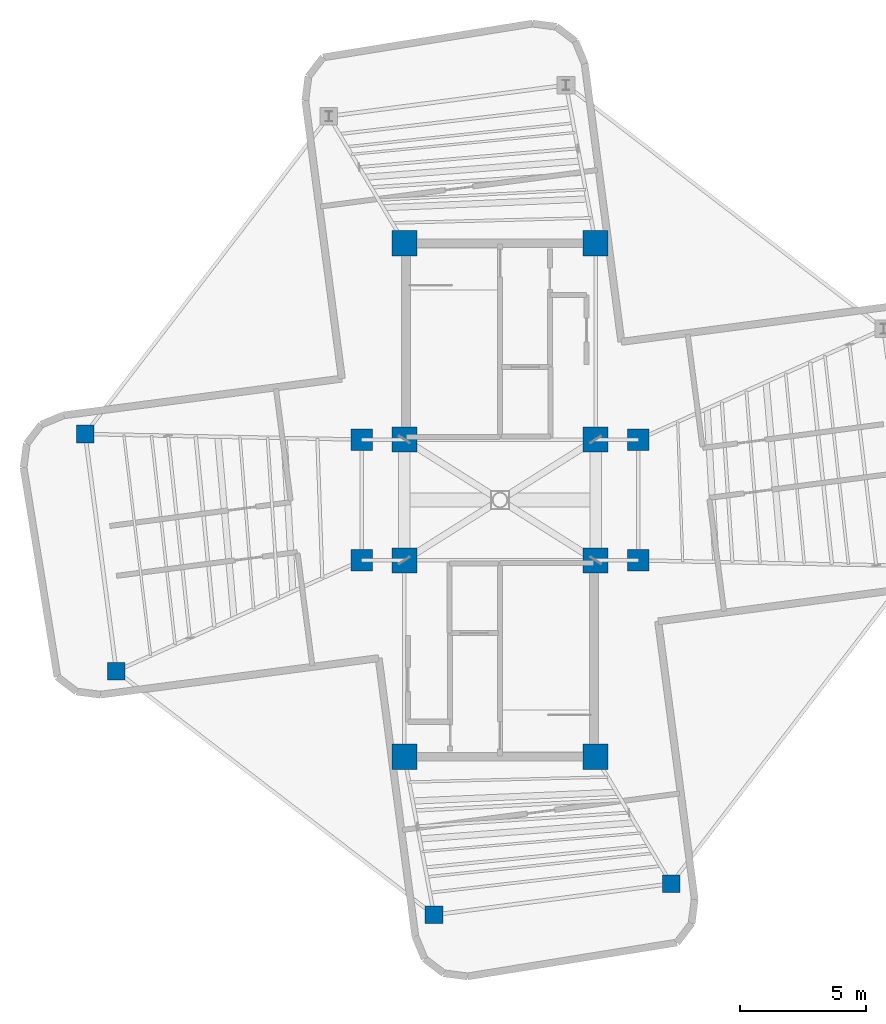
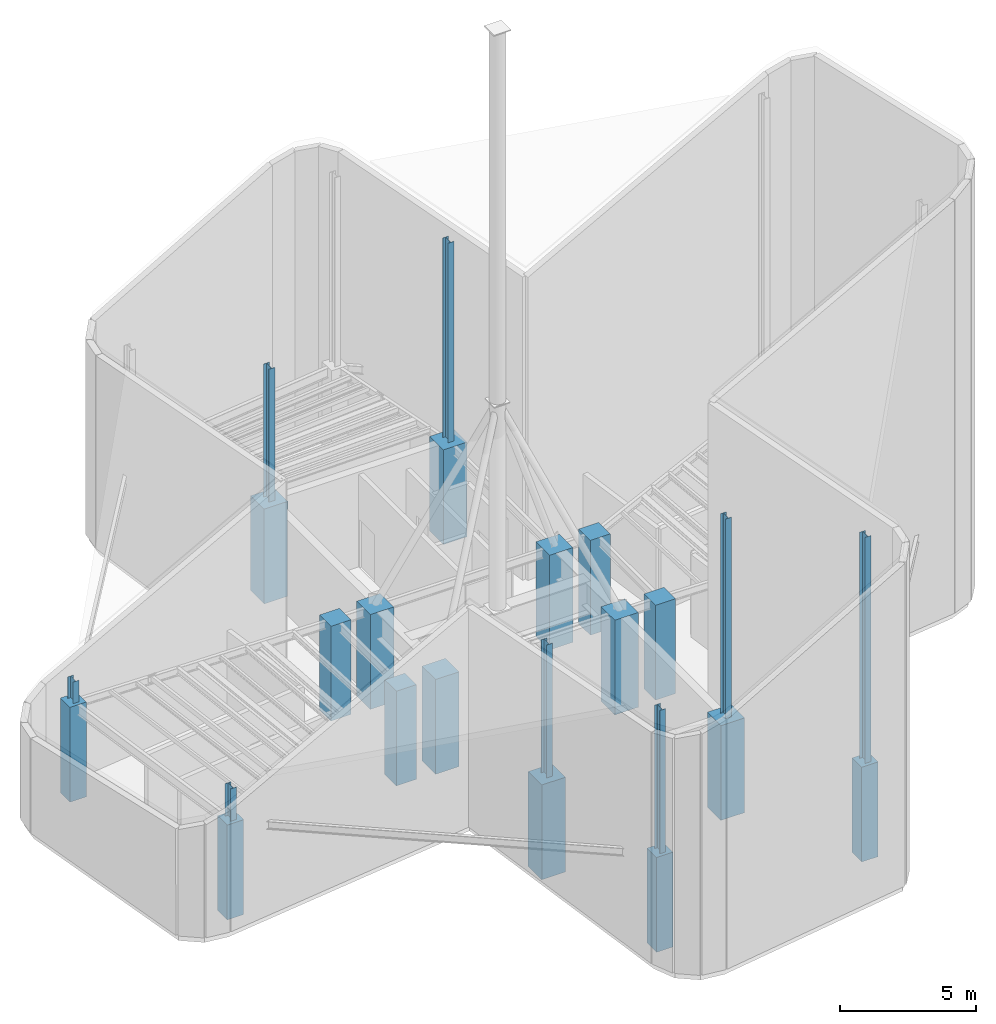
# One storey, part 1 of 8: 24 columns.
"""IFC4 building model written with IfcOpenShell, lengths in metres."""

import ifcopenshell
import ifcopenshell.guid

model = None  # the IFC model being written
_history = None  # IfcOwnerHistory: only IFC2X3 demands one
_inside = {}  # id of a spatial element -> (the spatial element, [elements in it])
_under = {}  # id of a project, library or spatial element -> (it, [spatial elements below it])
_declared = {}  # id of a project -> (the project, [libraries it declares])
_typed = {}  # id of a type object -> (the type object, [elements of that type])
_made_of = {}  # id of a material, layer set ... -> (it, [elements and type objects made of it])


def new_model(schema):
    """Start an empty IFC model of exactly this schema.

    Asked for "IFC4X3", IfcOpenShell would pick the latest addendum, in which some entities
    have other attributes; the version numbers below select the first issue.
    IFC2X3 requires an IfcOwnerHistory on every rooted entity: one is made here for all.
    """
    global model, _history
    if schema == "IFC4X3":
        model = ifcopenshell.file(schema_version=(4, 3, 0, 0))
    else:
        model = ifcopenshell.file(schema=schema)
    _inside.clear()
    _under.clear()
    _declared.clear()
    _typed.clear()
    _made_of.clear()
    _history = None
    if model.schema == "IFC2X3":
        org = make("IfcOrganization", Name="unknown")
        user = make(
            "IfcPersonAndOrganization",
            ThePerson=make("IfcPerson", FamilyName="unknown"),
            TheOrganization=org,
        )
        app = make(
            "IfcApplication",
            ApplicationDeveloper=org,
            Version="unknown",
            ApplicationFullName="unknown",
            ApplicationIdentifier="unknown",
        )
        _history = make(
            "IfcOwnerHistory",
            OwningUser=user,
            OwningApplication=app,
            ChangeAction="ADDED",
            CreationDate=0,
        )
    return model


def make(cls, **values):
    """One entity of the class cls with the attributes given. An attribute that is None is left unset."""
    return model.create_entity(
        cls, **{name: value for name, value in values.items() if value is not None}
    )


def rooted(cls, **values):
    """An entity with a GlobalId (a new one), such as an element, a storey or a relation."""
    return make(cls, GlobalId=ifcopenshell.guid.new(), OwnerHistory=_history, **values)


def si_unit(unit_type, name, prefix=None):
    """IfcSIUnit, for example si_unit("LENGTHUNIT", "METRE", prefix="MILLI")."""
    return make("IfcSIUnit", UnitType=unit_type, Prefix=prefix, Name=name)


def assignment(units):
    """IfcUnitAssignment: the units of a project."""
    return None if units is None else make("IfcUnitAssignment", Units=units)


def point(xyz):
    """IfcCartesianPoint."""
    return None if xyz is None else make("IfcCartesianPoint", Coordinates=xyz)


def direction(xyz):
    """IfcDirection."""
    return None if xyz is None else make("IfcDirection", DirectionRatios=xyz)


def frame(location, z_axis=None, x_axis=None):
    """IfcAxis2Placement3D, a coordinate frame: its origin and axes. An axis left out is left unset."""
    return make(
        "IfcAxis2Placement3D",
        Location=point(location),
        Axis=direction(z_axis),
        RefDirection=direction(x_axis),
    )


def frame_2d(location, x_axis=None):
    """IfcAxis2Placement2D, a coordinate frame in the plane: its origin and x axis."""
    return make(
        "IfcAxis2Placement2D", Location=point(location), RefDirection=direction(x_axis)
    )


def origin():
    """The frame at (0, 0, 0) with its axes left unset."""
    return frame((0.0, 0.0, 0.0))


def origin_2d():
    """The frame at (0, 0) in the plane with its x axis left unset."""
    return frame_2d((0.0, 0.0))


def place(relative_to, where):
    """IfcLocalPlacement: puts the frame where relative to a parent placement (None: the world)."""
    return make(
        "IfcLocalPlacement", PlacementRelTo=relative_to, RelativePlacement=where
    )


def context(
    kind, dimensions, precision=None, world=None, true_north=None, identifier=None
):
    """IfcGeometricRepresentationContext, for example the 3D "Model" context."""
    return make(
        "IfcGeometricRepresentationContext",
        ContextIdentifier=identifier,
        ContextType=kind,
        CoordinateSpaceDimension=dimensions,
        Precision=precision,
        WorldCoordinateSystem=world,
        TrueNorth=true_north,
    )


def subcontext(parent, identifier, kind, view, scale=None):
    """IfcGeometricRepresentationSubContext, for example "Body" below "Model"."""
    return make(
        "IfcGeometricRepresentationSubContext",
        ContextIdentifier=identifier,
        ContextType=kind,
        ParentContext=parent,
        TargetScale=scale,
        TargetView=view,
    )


def project(units=None, contexts=None):
    """IfcProject with its units and contexts."""
    return rooted(
        "IfcProject",
        Name="project",
        RepresentationContexts=contexts,
        UnitsInContext=assignment(units),
    )


def spatial(cls, under=None, at=None, **own):
    """A site, building, storey or space (cls), placed at a placement, below another one or the project."""
    s = rooted(cls, ObjectPlacement=at, **own)
    if under is not None:
        _under.setdefault(under.id(), (under, []))[1].append(s)
    return s


def profile(cls, at=None, kind="AREA", **sizes):
    """A parametric profile (cls). Its sizes go by their IFC names, for example OverallWidth=200.0."""
    return make(cls, ProfileType=kind, Position=at, **sizes)


def rectangle(**sizes):
    """IfcRectangleProfileDef."""
    return profile("IfcRectangleProfileDef", **sizes)


def i_section(**sizes):
    """IfcIShapeProfileDef."""
    return profile("IfcIShapeProfileDef", **sizes)


def extrude(swept, where, along, depth):
    """IfcExtrudedAreaSolid: the profile swept, set in the frame where, extruded along a direction by depth."""
    return make(
        "IfcExtrudedAreaSolid",
        SweptArea=swept,
        Position=where,
        ExtrudedDirection=direction(along),
        Depth=depth,
    )


def shape(context_of_items, identifier, shape_type, items):
    """IfcShapeRepresentation: the items that make up one representation, for example the "Body"."""
    return make(
        "IfcShapeRepresentation",
        ContextOfItems=context_of_items,
        RepresentationIdentifier=identifier,
        RepresentationType=shape_type,
        Items=items,
    )


def source(mapping_origin, context_of_items, identifier, shape_type, items):
    """IfcRepresentationMap: a shape defined once, which mapped items show again and again."""
    return make(
        "IfcRepresentationMap",
        MappingOrigin=mapping_origin,
        MappedRepresentation=shape(context_of_items, identifier, shape_type, items),
    )


def transform(
    local_origin,
    x_axis=None,
    y_axis=None,
    z_axis=None,
    scale=None,
    scale2=None,
    scale3=None,
    uniform=True,
):
    """IfcCartesianTransformationOperator3D, or its non-uniform kind. x_axis, y_axis, z_axis: its Axis1, 2, 3."""
    if uniform:
        return make(
            "IfcCartesianTransformationOperator3D",
            Axis1=direction(x_axis),
            Axis2=direction(y_axis),
            LocalOrigin=point(local_origin),
            Scale=scale,
            Axis3=direction(z_axis),
        )
    return make(
        "IfcCartesianTransformationOperator3DnonUniform",
        Axis1=direction(x_axis),
        Axis2=direction(y_axis),
        LocalOrigin=point(local_origin),
        Scale=scale,
        Axis3=direction(z_axis),
        Scale2=scale2,
        Scale3=scale3,
    )


def mapped(mapping_source, mapping_target):
    """IfcMappedItem: shows the shape of a source again, moved by a transform."""
    return make(
        "IfcMappedItem", MappingSource=mapping_source, MappingTarget=mapping_target
    )


def material(Name=None, Category=None):
    """IfcMaterial."""
    return make("IfcMaterial", Name=Name, Category=Category)


def material_profile(
    of_material, cross_section, Name=None, Category=None, Priority=None
):
    """IfcMaterialProfile: a cross section and its material."""
    return make(
        "IfcMaterialProfile",
        Name=Name,
        Material=of_material,
        Profile=cross_section,
        Priority=Priority,
        Category=Category,
    )


def profile_set(profiles, Name=None, composite=None):
    """IfcMaterialProfileSet."""
    return make(
        "IfcMaterialProfileSet",
        Name=Name,
        MaterialProfiles=profiles,
        CompositeProfile=composite,
    )


def made_of(thing, what):
    """Note that an element or type object is made of a material, layer set ...; save() writes the relation."""
    if what is not None:
        _made_of.setdefault(what.id(), (what, []))[1].append(thing)
    return thing


def type_object(cls, material=None, **own):
    """A type object (cls), such as IfcWallType, which elements share."""
    return made_of(rooted(cls, **own), material)


def element(
    cls,
    number,
    at=None,
    inside=None,
    cuts=None,
    type_object=None,
    material=None,
    context=None,
    identifier="Body",
    shape_type=None,
    held_by="IfcProductDefinitionShape",
    body=None,
    shapes=None,
    **own,
):
    """One element of the class cls, such as IfcWall. Its Tag is "e" and its number.

    at: its placement. inside: the storey or other place that contains it. cuts: it is an
    opening in that element (IfcRelVoidsElement). A single representation is given by context,
    identifier, shape_type and body (its items); several are given by shapes. held_by: the class
    of the entity that holds the representations. save() writes the other relations.
    """
    e = rooted(cls, Tag="e%d" % number, ObjectPlacement=at, **own)
    if body is not None:
        shapes = [shape(context, identifier, shape_type, body)]
    if shapes is not None:
        e.Representation = make(held_by, Representations=shapes)
    if inside is not None:
        _inside.setdefault(inside.id(), (inside, []))[1].append(e)
    if cuts is not None:
        rooted(
            "IfcRelVoidsElement", RelatingBuildingElement=cuts, RelatedOpeningElement=e
        )
    if type_object is not None:
        _typed.setdefault(type_object.id(), (type_object, []))[1].append(e)
    return made_of(e, material)


def aggregate(whole, parts):
    """IfcRelAggregates: a whole, such as a stair, and the parts it consists of."""
    return rooted("IfcRelAggregates", RelatingObject=whole, RelatedObjects=parts)


def save(model, path):
    """Write the relations noted so far, then the file.

    IfcRelAggregates (storeys below a building ...), IfcRelContainedInSpatialStructure (elements
    in a storey), IfcRelDefinesByType, IfcRelAssociatesMaterial and IfcRelDeclares: one each for
    every whole, place, type object, material and project.
    """
    for whole, parts in _under.values():
        aggregate(whole, parts)
    for where, things in _inside.values():
        rooted(
            "IfcRelContainedInSpatialStructure",
            RelatedElements=things,
            RelatingStructure=where,
        )
    for kind, things in _typed.values():
        rooted("IfcRelDefinesByType", RelatedObjects=things, RelatingType=kind)
    for what, things in _made_of.values():
        rooted("IfcRelAssociatesMaterial", RelatedObjects=things, RelatingMaterial=what)
    for by, libraries in _declared.values():
        rooted("IfcRelDeclares", RelatingContext=by, RelatedDefinitions=libraries)
    model.write(path)


model = new_model("IFC4")

# Units and contexts
model_context = context("Model", 3, precision=1e-05, world=origin(), true_north=direction((0.0, 1.0)))
body_context = subcontext(model_context, "Body", "Model", "MODEL_VIEW")
ifc_project = project(units=[si_unit("LENGTHUNIT", "METRE"), si_unit("AREAUNIT", "SQUARE_METRE"), si_unit("VOLUMEUNIT", "CUBIC_METRE"), si_unit("PLANEANGLEUNIT", "RADIAN"), si_unit("MASSUNIT", "GRAM", prefix="KILO")], contexts=[model_context])

# Site, building, storey
site_placement = place(None, origin())
site = spatial("IfcSite", under=ifc_project, at=site_placement, CompositionType="ELEMENT")
building_placement = place(site_placement, origin())
building = spatial("IfcBuilding", under=site, at=building_placement, Name="Sahyath Konkavel Grand Hotel", CompositionType="ELEMENT")
storey_placement = place(building_placement, frame((0.0, 0.0, 300.300048828125)))
storey = spatial("IfcBuildingStorey", under=building, at=storey_placement, Name="L83", CompositionType="ELEMENT", Elevation=300.300048828125)

# Columns
ifc_material_1 = material(Name="Concrete C50/60", Category="concrete")
ifc_material_profile_1 = material_profile(ifc_material_1, rectangle(XDim=1.0, YDim=1.0, at=origin_2d()), Name="RC 1000x1000")
ifc_profile_set_1 = profile_set([ifc_material_profile_1], Name="Concrete C50/60")
column_type_1 = type_object("IfcColumnType", Name="COL-RC1000", PredefinedType="COLUMN", material=ifc_profile_set_1)
shared_shape_1 = source(origin(), body_context, "Body", "SweptSolid", [
    extrude(rectangle(XDim=1.0, YDim=1.0, at=origin_2d()), origin(), (0.0, 0.0, 1.0), 4.25),
])
for number, where, z_axis, x_axis, name in (
    (1, (-3.800048828125, 2.39990234375, 0.0), (0.0, 0.0, 1.0), (1.0, 0.0, 0.0), "L83 Core Boundary Column NC-SW"),
    (2, (3.800048828125, 2.39990234375, 0.0), (0.0, 0.0, 1.0), (1.0, 0.0, 0.0), "L83 Core Boundary Column NC-SE"),
    (3, (-3.800048828125, 10.199951171875, 0.0), (0.0, 0.0, 1.0), (1.0, 0.0, 0.0), "L83 Core Boundary Column NC-NW"),
    (4, (3.800048828125, 10.199951171875, 0.0), (0.0, 0.0, 1.0), (1.0, 0.0, 0.0), "L83 Core Boundary Column NC-NE"),
    (5, (-3.800048828125, -2.39990234375, 0.0), (0.0, 0.0, 1.0), (1.0, 0.0, 0.0), "L83 Core Boundary Column SC-NW"),
    (6, (3.800048828125, -2.39990234375, 0.0), (0.0, 0.0, 1.0), (1.0, 0.0, 0.0), "L83 Core Boundary Column SC-NE"),
    (7, (-3.800048828125, -10.199951171875, 0.0), (0.0, 0.0, 1.0), (1.0, 0.0, 0.0), "L83 Core Boundary Column SC-SW"),
    (8, (3.800048828125, -10.199951171875, 0.0), (0.0, 0.0, 1.0), (1.0, 0.0, 0.0), "L83 Core Boundary Column SC-SE"),
):
    element("IfcColumn", number, at=place(storey_placement, frame(where, z_axis=z_axis, x_axis=x_axis)), inside=storey, type_object=column_type_1, Name=name, PredefinedType="COLUMN", context=body_context, shape_type="MappedRepresentation", body=[
        mapped(shared_shape_1, transform((0.0, 0.0, 0.0), scale=1.0)),
    ])
ifc_material_2 = material(Name="Concrete C40/50", Category="concrete")
ifc_material_profile_2 = material_profile(ifc_material_2, rectangle(XDim=0.85009765625, YDim=0.85009765625, at=origin_2d()), Name="RC 850x850")
ifc_profile_set_2 = profile_set([ifc_material_profile_2], Name="Concrete C40/50")
column_type_2 = type_object("IfcColumnType", Name="COL-RC850", PredefinedType="COLUMN", material=ifc_profile_set_2)
shared_shape_2 = source(origin(), body_context, "Body", "SweptSolid", [
    extrude(rectangle(XDim=0.85009765625, YDim=0.85009765625, at=origin_2d()), origin(), (0.0, 0.0, 1.0), 4.25),
])
for number, where, z_axis, x_axis, name in (
    (9, (5.5, 2.39990234375, 0.0), (0.0, 0.0, 1.0), (1.0, 0.0, 0.0), "L83 Central Spine Column HB-NE"),
    (10, (-5.5, 2.39990234375, 0.0), (0.0, 0.0, 1.0), (1.0, 0.0, 0.0), "L83 Central Spine Column HB-NW"),
    (11, (5.5, -2.39990234375, 0.0), (0.0, 0.0, 1.0), (1.0, 0.0, 0.0), "L83 Central Spine Column HB-SE"),
    (12, (-5.5, -2.39990234375, 0.0), (0.0, 0.0, 1.0), (1.0, 0.0, 0.0), "L83 Central Spine Column HB-SW"),
):
    element("IfcColumn", number, at=place(storey_placement, frame(where, z_axis=z_axis, x_axis=x_axis)), inside=storey, type_object=column_type_2, Name=name, PredefinedType="COLUMN", context=body_context, shape_type="MappedRepresentation", body=[
        mapped(shared_shape_2, transform((0.0, 0.0, 0.0), scale=1.0)),
    ])
ifc_material_profile_3 = material_profile(ifc_material_2, rectangle(XDim=0.699951171875, YDim=0.699951171875, at=origin_2d()), Name="RC 700x700")
ifc_profile_set_3 = profile_set([ifc_material_profile_3], Name="Concrete C40/50")
column_type_3 = type_object("IfcColumnType", Name="COL-RC700", PredefinedType="COLUMN", material=ifc_profile_set_3)
shared_shape_3 = source(origin(), body_context, "Body", "SweptSolid", [
    extrude(rectangle(XDim=0.699951171875, YDim=0.699951171875, at=origin_2d()), origin(), (0.0, 0.0, 1.0), 4.25),
])
for number, where, z_axis, x_axis, name in (
    (13, (-16.483154296875, 2.620849609375, 0.0), (0.0, 0.0, 1.0), (1.0, 0.0, 0.0), "L83 Cruciform Wing Column WC-WA"),
    (14, (-15.2431640625, -6.7978515625, 0.0), (0.0, 0.0, 1.0), (1.0, 0.0, 0.0), "L83 Cruciform Wing Column WC-WB"),
    (15, (-2.620849609375, -16.483154296875, 0.0), (0.0, 0.0, 1.0), (1.0, 0.0, 0.0), "L83 Cruciform Wing Column WC-SA"),
    (16, (6.7978515625, -15.2431640625, 0.0), (0.0, 0.0, 1.0), (1.0, 0.0, 0.0), "L83 Cruciform Wing Column WC-SB"),
):
    element("IfcColumn", number, at=place(storey_placement, frame(where, z_axis=z_axis, x_axis=x_axis)), inside=storey, type_object=column_type_3, Name=name, PredefinedType="COLUMN", context=body_context, shape_type="MappedRepresentation", body=[
        mapped(shared_shape_3, transform((0.0, 0.0, 0.0), scale=1.0)),
    ])
ifc_material_3 = material(Name="Steel E350", Category="steel")
ifc_material_profile_4 = material_profile(ifc_material_3, i_section(OverallWidth=0.25, OverallDepth=0.39990234375, WebThickness=0.0126953125, FlangeThickness=0.0126953125, FilletRadius=0.013916015625, at=origin_2d()), Name="ISHB 400")
ifc_profile_set_4 = profile_set([ifc_material_profile_4], Name="Steel E350")
column_type_4 = type_object("IfcColumnType", Name="COL-ISHB400", PredefinedType="COLUMN", material=ifc_profile_set_4)
shared_shape_4 = source(origin(), body_context, "Body", "SweptSolid", [
    extrude(i_section(OverallWidth=0.25, OverallDepth=0.39990234375, WebThickness=0.0126953125, FlangeThickness=0.0126953125, FilletRadius=0.013916015625, at=origin_2d()), origin(), (0.0, 0.0, 1.0), 5.959228515625),
])
for number, where, z_axis, x_axis, name in (
    (17, (-3.800048828125, 10.199951171875, 4.25), (0.0, 0.0, 1.0), (1.0, 0.0, 0.0), "L83 Sloped Crown Roof Support Column NC-NW"),
    (18, (-3.800048828125, -10.199951171875, 4.25), (0.0, 0.0, 1.0), (1.0, 0.0, 0.0), "L83 Sloped Crown Roof Support Column SC-SW"),
):
    element("IfcColumn", number, at=place(storey_placement, frame(where, z_axis=z_axis, x_axis=x_axis)), inside=storey, type_object=column_type_4, Name=name, PredefinedType="COLUMN", context=body_context, shape_type="MappedRepresentation", body=[
        mapped(shared_shape_4, transform((0.0, 0.0, 0.0), scale=1.0)),
    ])
shared_shape_5 = source(origin(), body_context, "Body", "SweptSolid", [
    extrude(i_section(OverallWidth=0.25, OverallDepth=0.39990234375, WebThickness=0.0126953125, FlangeThickness=0.0126953125, FilletRadius=0.013916015625, at=origin_2d()), origin(), (0.0, 0.0, 1.0), 8.952880859375),
])
for number, where, z_axis, x_axis, name in (
    (19, (3.800048828125, 10.199951171875, 4.25), (0.0, 0.0, 1.0), (1.0, 0.0, 0.0), "L83 Sloped Crown Roof Support Column NC-NE"),
    (20, (3.800048828125, -10.199951171875, 4.25), (0.0, 0.0, 1.0), (1.0, 0.0, 0.0), "L83 Sloped Crown Roof Support Column SC-SE"),
):
    element("IfcColumn", number, at=place(storey_placement, frame(where, z_axis=z_axis, x_axis=x_axis)), inside=storey, type_object=column_type_4, Name=name, PredefinedType="COLUMN", context=body_context, shape_type="MappedRepresentation", body=[
        mapped(shared_shape_5, transform((0.0, 0.0, 0.0), scale=1.0)),
    ])
shared_shape_6 = source(origin(), body_context, "Body", "SweptSolid", [
    extrude(i_section(OverallWidth=0.25, OverallDepth=0.39990234375, WebThickness=0.0126953125, FlangeThickness=0.0126953125, FilletRadius=0.013916015625, at=origin_2d()), origin(), (0.0, 0.0, 1.0), 0.963134765625),
])
column_1_placement = place(storey_placement, frame((-16.483154296875, 2.620849609375, 4.25), z_axis=(0.0, 0.0, 1.0), x_axis=(1.0, 0.0, 0.0)))
element("IfcColumn", 21, at=column_1_placement, inside=storey, type_object=column_type_4, Name="L83 Sloped Crown Roof Support Column WG-WA", PredefinedType="COLUMN", context=body_context, shape_type="MappedRepresentation", body=[
    mapped(shared_shape_6, transform((0.0, 0.0, 0.0), scale=1.0)),
])
shared_shape_7 = source(origin(), body_context, "Body", "SweptSolid", [
    extrude(i_section(OverallWidth=0.25, OverallDepth=0.39990234375, WebThickness=0.0126953125, FlangeThickness=0.0126953125, FilletRadius=0.013916015625, at=origin_2d()), origin(), (0.0, 0.0, 1.0), 1.45166015625),
])
column_2_placement = place(storey_placement, frame((-15.2431640625, -6.7978515625, 4.25), z_axis=(0.0, 0.0, 1.0), x_axis=(1.0, 0.0, 0.0)))
element("IfcColumn", 22, at=column_2_placement, inside=storey, type_object=column_type_4, Name="L83 Sloped Crown Roof Support Column WG-WB", PredefinedType="COLUMN", context=body_context, shape_type="MappedRepresentation", body=[
    mapped(shared_shape_7, transform((0.0, 0.0, 0.0), scale=1.0)),
])
shared_shape_8 = source(origin(), body_context, "Body", "SweptSolid", [
    extrude(i_section(OverallWidth=0.25, OverallDepth=0.39990234375, WebThickness=0.0126953125, FlangeThickness=0.0126953125, FilletRadius=0.013916015625, at=origin_2d()), origin(), (0.0, 0.0, 1.0), 6.423583984375),
])
column_3_placement = place(storey_placement, frame((-2.620849609375, -16.483154296875, 4.25), z_axis=(0.0, 0.0, 1.0), x_axis=(1.0, 0.0, 0.0)))
element("IfcColumn", 23, at=column_3_placement, inside=storey, type_object=column_type_4, Name="L83 Sloped Crown Roof Support Column WG-SA", PredefinedType="COLUMN", context=body_context, shape_type="MappedRepresentation", body=[
    mapped(shared_shape_8, transform((0.0, 0.0, 0.0), scale=1.0)),
])
shared_shape_9 = source(origin(), body_context, "Body", "SweptSolid", [
    extrude(i_section(OverallWidth=0.25, OverallDepth=0.39990234375, WebThickness=0.0126953125, FlangeThickness=0.0126953125, FilletRadius=0.013916015625, at=origin_2d()), origin(), (0.0, 0.0, 1.0), 10.1337890625),
])
column_4_placement = place(storey_placement, frame((6.7978515625, -15.2431640625, 4.25), z_axis=(0.0, 0.0, 1.0), x_axis=(1.0, 0.0, 0.0)))
element("IfcColumn", 24, at=column_4_placement, inside=storey, type_object=column_type_4, Name="L83 Sloped Crown Roof Support Column WG-SB", PredefinedType="COLUMN", context=body_context, shape_type="MappedRepresentation", body=[
    mapped(shared_shape_9, transform((0.0, 0.0, 0.0), scale=1.0)),
])

save(model, "model.ifc")
